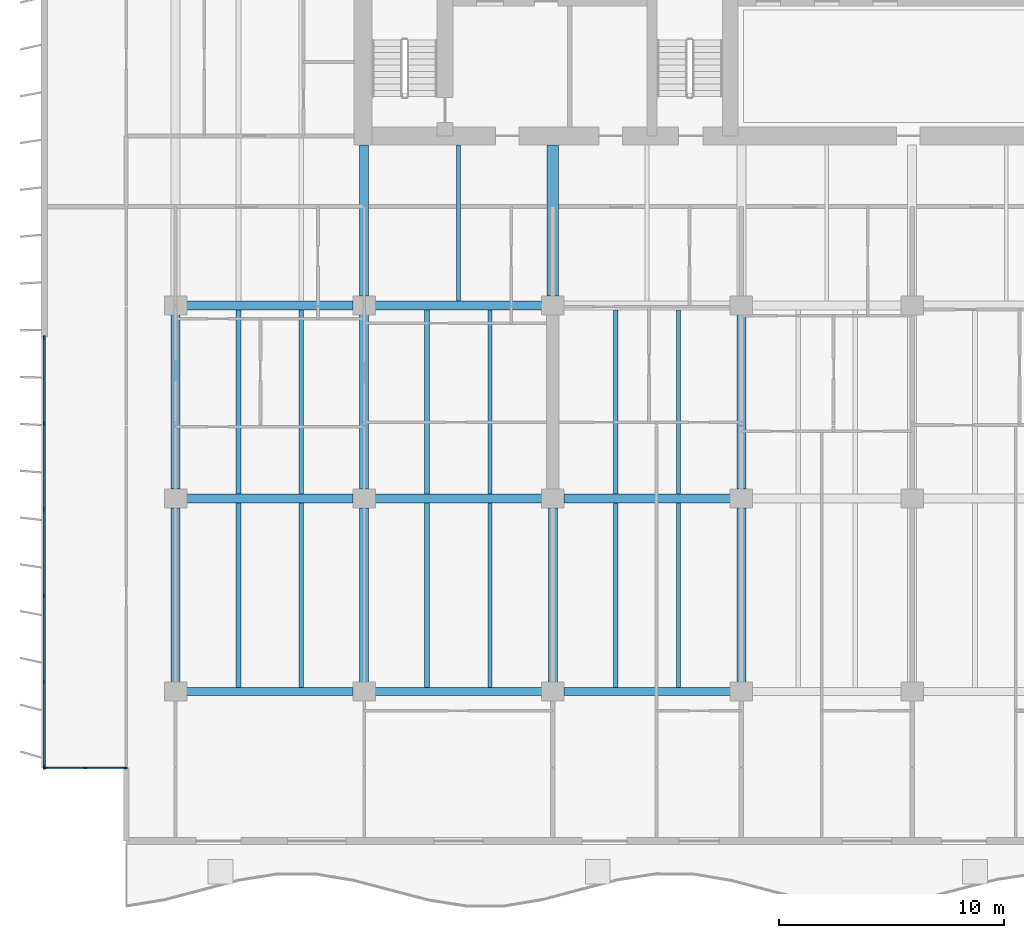
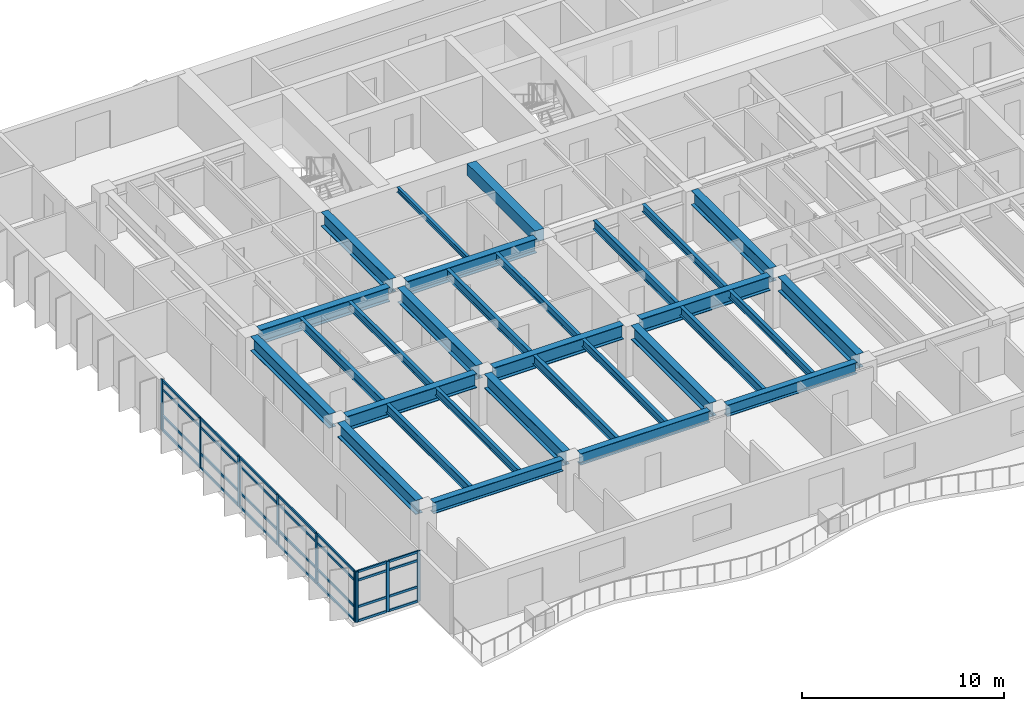
# One storey, part 2 of 19: 37 members, 30 beams, 2 elements without a shape of their own.
"""IFC4 building model written with IfcOpenShell, lengths in metres."""

import ifcopenshell
import ifcopenshell.guid

model = None  # the IFC model being written
_history = None  # IfcOwnerHistory: only IFC2X3 demands one
_inside = {}  # id of a spatial element -> (the spatial element, [elements in it])
_under = {}  # id of a project, library or spatial element -> (it, [spatial elements below it])
_declared = {}  # id of a project -> (the project, [libraries it declares])
_typed = {}  # id of a type object -> (the type object, [elements of that type])
_made_of = {}  # id of a material, layer set ... -> (it, [elements and type objects made of it])


def new_model(schema):
    """Start an empty IFC model of exactly this schema.

    Asked for "IFC4X3", IfcOpenShell would pick the latest addendum, in which some entities
    have other attributes; the version numbers below select the first issue.
    IFC2X3 requires an IfcOwnerHistory on every rooted entity: one is made here for all.
    """
    global model, _history
    if schema == "IFC4X3":
        model = ifcopenshell.file(schema_version=(4, 3, 0, 0))
    else:
        model = ifcopenshell.file(schema=schema)
    _inside.clear()
    _under.clear()
    _declared.clear()
    _typed.clear()
    _made_of.clear()
    _history = None
    if model.schema == "IFC2X3":
        org = make("IfcOrganization", Name="unknown")
        user = make(
            "IfcPersonAndOrganization",
            ThePerson=make("IfcPerson", FamilyName="unknown"),
            TheOrganization=org,
        )
        app = make(
            "IfcApplication",
            ApplicationDeveloper=org,
            Version="unknown",
            ApplicationFullName="unknown",
            ApplicationIdentifier="unknown",
        )
        _history = make(
            "IfcOwnerHistory",
            OwningUser=user,
            OwningApplication=app,
            ChangeAction="ADDED",
            CreationDate=0,
        )
    return model


def make(cls, **values):
    """One entity of the class cls with the attributes given. An attribute that is None is left unset."""
    return model.create_entity(
        cls, **{name: value for name, value in values.items() if value is not None}
    )


def rooted(cls, **values):
    """An entity with a GlobalId (a new one), such as an element, a storey or a relation."""
    return make(cls, GlobalId=ifcopenshell.guid.new(), OwnerHistory=_history, **values)


def si_unit(unit_type, name, prefix=None):
    """IfcSIUnit, for example si_unit("LENGTHUNIT", "METRE", prefix="MILLI")."""
    return make("IfcSIUnit", UnitType=unit_type, Prefix=prefix, Name=name)


def assignment(units):
    """IfcUnitAssignment: the units of a project."""
    return None if units is None else make("IfcUnitAssignment", Units=units)


def point(xyz):
    """IfcCartesianPoint."""
    return None if xyz is None else make("IfcCartesianPoint", Coordinates=xyz)


def direction(xyz):
    """IfcDirection."""
    return None if xyz is None else make("IfcDirection", DirectionRatios=xyz)


def frame(location, z_axis=None, x_axis=None):
    """IfcAxis2Placement3D, a coordinate frame: its origin and axes. An axis left out is left unset."""
    return make(
        "IfcAxis2Placement3D",
        Location=point(location),
        Axis=direction(z_axis),
        RefDirection=direction(x_axis),
    )


def frame_2d(location, x_axis=None):
    """IfcAxis2Placement2D, a coordinate frame in the plane: its origin and x axis."""
    return make(
        "IfcAxis2Placement2D", Location=point(location), RefDirection=direction(x_axis)
    )


def origin():
    """The frame at (0, 0, 0) with its axes left unset."""
    return frame((0.0, 0.0, 0.0))


def origin_2d():
    """The frame at (0, 0) in the plane with its x axis left unset."""
    return frame_2d((0.0, 0.0))


def place(relative_to, where):
    """IfcLocalPlacement: puts the frame where relative to a parent placement (None: the world)."""
    return make(
        "IfcLocalPlacement", PlacementRelTo=relative_to, RelativePlacement=where
    )


def context(
    kind, dimensions, precision=None, world=None, true_north=None, identifier=None
):
    """IfcGeometricRepresentationContext, for example the 3D "Model" context."""
    return make(
        "IfcGeometricRepresentationContext",
        ContextIdentifier=identifier,
        ContextType=kind,
        CoordinateSpaceDimension=dimensions,
        Precision=precision,
        WorldCoordinateSystem=world,
        TrueNorth=true_north,
    )


def subcontext(parent, identifier, kind, view, scale=None):
    """IfcGeometricRepresentationSubContext, for example "Body" below "Model"."""
    return make(
        "IfcGeometricRepresentationSubContext",
        ContextIdentifier=identifier,
        ContextType=kind,
        ParentContext=parent,
        TargetScale=scale,
        TargetView=view,
    )


def project(units=None, contexts=None):
    """IfcProject with its units and contexts."""
    return rooted(
        "IfcProject",
        Name="project",
        RepresentationContexts=contexts,
        UnitsInContext=assignment(units),
    )


def spatial(cls, under=None, at=None, **own):
    """A site, building, storey or space (cls), placed at a placement, below another one or the project."""
    s = rooted(cls, ObjectPlacement=at, **own)
    if under is not None:
        _under.setdefault(under.id(), (under, []))[1].append(s)
    return s


def profile(cls, at=None, kind="AREA", **sizes):
    """A parametric profile (cls). Its sizes go by their IFC names, for example OverallWidth=200.0."""
    return make(cls, ProfileType=kind, Position=at, **sizes)


def rectangle(**sizes):
    """IfcRectangleProfileDef."""
    return profile("IfcRectangleProfileDef", **sizes)


def i_section(**sizes):
    """IfcIShapeProfileDef."""
    return profile("IfcIShapeProfileDef", **sizes)


def extrude(swept, where, along, depth):
    """IfcExtrudedAreaSolid: the profile swept, set in the frame where, extruded along a direction by depth."""
    return make(
        "IfcExtrudedAreaSolid",
        SweptArea=swept,
        Position=where,
        ExtrudedDirection=direction(along),
        Depth=depth,
    )


def shape(context_of_items, identifier, shape_type, items):
    """IfcShapeRepresentation: the items that make up one representation, for example the "Body"."""
    return make(
        "IfcShapeRepresentation",
        ContextOfItems=context_of_items,
        RepresentationIdentifier=identifier,
        RepresentationType=shape_type,
        Items=items,
    )


def material(Name=None, Category=None):
    """IfcMaterial."""
    return make("IfcMaterial", Name=Name, Category=Category)


def layer(
    of_material, thickness, ventilated=None, Name=None, Category=None, Priority=None
):
    """IfcMaterialLayer: one layer of a wall or slab, of a material (None: an air gap)."""
    return make(
        "IfcMaterialLayer",
        Material=of_material,
        LayerThickness=thickness,
        IsVentilated=ventilated,
        Name=Name,
        Category=Category,
        Priority=Priority,
    )


def layer_set(layers, Name=None):
    """IfcMaterialLayerSet."""
    return make("IfcMaterialLayerSet", MaterialLayers=layers, LayerSetName=Name)


def material_profile(
    of_material, cross_section, Name=None, Category=None, Priority=None
):
    """IfcMaterialProfile: a cross section and its material."""
    return make(
        "IfcMaterialProfile",
        Name=Name,
        Material=of_material,
        Profile=cross_section,
        Priority=Priority,
        Category=Category,
    )


def profile_set(profiles, Name=None, composite=None):
    """IfcMaterialProfileSet."""
    return make(
        "IfcMaterialProfileSet",
        Name=Name,
        MaterialProfiles=profiles,
        CompositeProfile=composite,
    )


def made_of(thing, what):
    """Note that an element or type object is made of a material, layer set ...; save() writes the relation."""
    if what is not None:
        _made_of.setdefault(what.id(), (what, []))[1].append(thing)
    return thing


def type_object(cls, material=None, **own):
    """A type object (cls), such as IfcWallType, which elements share."""
    return made_of(rooted(cls, **own), material)


def element(
    cls,
    number,
    at=None,
    inside=None,
    cuts=None,
    type_object=None,
    material=None,
    context=None,
    identifier="Body",
    shape_type=None,
    held_by="IfcProductDefinitionShape",
    body=None,
    shapes=None,
    **own,
):
    """One element of the class cls, such as IfcWall. Its Tag is "e" and its number.

    at: its placement. inside: the storey or other place that contains it. cuts: it is an
    opening in that element (IfcRelVoidsElement). A single representation is given by context,
    identifier, shape_type and body (its items); several are given by shapes. held_by: the class
    of the entity that holds the representations. save() writes the other relations.
    """
    e = rooted(cls, Tag="e%d" % number, ObjectPlacement=at, **own)
    if body is not None:
        shapes = [shape(context, identifier, shape_type, body)]
    if shapes is not None:
        e.Representation = make(held_by, Representations=shapes)
    if inside is not None:
        _inside.setdefault(inside.id(), (inside, []))[1].append(e)
    if cuts is not None:
        rooted(
            "IfcRelVoidsElement", RelatingBuildingElement=cuts, RelatedOpeningElement=e
        )
    if type_object is not None:
        _typed.setdefault(type_object.id(), (type_object, []))[1].append(e)
    return made_of(e, material)


def aggregate(whole, parts):
    """IfcRelAggregates: a whole, such as a stair, and the parts it consists of."""
    return rooted("IfcRelAggregates", RelatingObject=whole, RelatedObjects=parts)


def save(model, path):
    """Write the relations noted so far, then the file.

    IfcRelAggregates (storeys below a building ...), IfcRelContainedInSpatialStructure (elements
    in a storey), IfcRelDefinesByType, IfcRelAssociatesMaterial and IfcRelDeclares: one each for
    every whole, place, type object, material and project.
    """
    for whole, parts in _under.values():
        aggregate(whole, parts)
    for where, things in _inside.values():
        rooted(
            "IfcRelContainedInSpatialStructure",
            RelatedElements=things,
            RelatingStructure=where,
        )
    for kind, things in _typed.values():
        rooted("IfcRelDefinesByType", RelatedObjects=things, RelatingType=kind)
    for what, things in _made_of.values():
        rooted("IfcRelAssociatesMaterial", RelatedObjects=things, RelatingMaterial=what)
    for by, libraries in _declared.values():
        rooted("IfcRelDeclares", RelatingContext=by, RelatedDefinitions=libraries)
    model.write(path)


model = new_model("IFC4")

# Units and contexts
model_context = context("Model", 3, precision=1e-05, world=origin(), true_north=direction((0.0, 1.0)))
body_context = subcontext(model_context, "Body", "Model", "MODEL_VIEW")
ifc_project = project(units=[si_unit("LENGTHUNIT", "METRE"), si_unit("AREAUNIT", "SQUARE_METRE"), si_unit("VOLUMEUNIT", "CUBIC_METRE"), si_unit("PLANEANGLEUNIT", "RADIAN"), si_unit("MASSUNIT", "GRAM", prefix="KILO")], contexts=[model_context])

# Site, building, storey
site_placement = place(None, origin())
site = spatial("IfcSite", under=ifc_project, at=site_placement, CompositionType="ELEMENT")
building_placement = place(site_placement, origin())
building = spatial("IfcBuilding", under=site, at=building_placement, Name="Caelmar Bay Residences", CompositionType="ELEMENT")
storey_placement = place(building_placement, frame((0.0, 0.0, 91.199951171875)))
storey = spatial("IfcBuildingStorey", under=building, at=storey_placement, Name="L24", CompositionType="ELEMENT", Elevation=91.199951171875)

# Beams
ifc_material_1 = material(Name="Steel ASTM A992 Grade 50", Category="steel")
ifc_material_profile_1 = material_profile(ifc_material_1, i_section(OverallWidth=0.40087890625, OverallDepth=0.861083984375, WebThickness=0.019775390625, FlangeThickness=0.032470703125, FilletRadius=0.017822265625, at=origin_2d()), Name="W33X221")
ifc_profile_set_1 = profile_set([ifc_material_profile_1], Name="Steel ASTM A992 Grade 50")
beam_type_1 = type_object("IfcBeamType", Name="BM-GRD-W33X221", PredefinedType="BEAM", material=ifc_profile_set_1)
beam_1_placement = place(storey_placement, frame((10.389892578125, 20.800048828125, 2.61962890625), z_axis=(1.0, 0.0, 0.0), x_axis=(0.0, 1.0, 0.0)))
element("IfcBeam", 1, at=beam_1_placement, inside=storey, type_object=beam_type_1, Name="L24 East-West Girder Y=20.80 (9.9-18.3)", PredefinedType="BEAM", context=body_context, shape_type="SweptSolid", body=[
    extrude(i_section(OverallWidth=0.40087890625, OverallDepth=0.861083984375, WebThickness=0.019775390625, FlangeThickness=0.032470703125, FilletRadius=0.017822265625, at=origin_2d()), origin(), (0.0, 0.0, 1.0), 7.420166015625),
])
beam_2_placement = place(storey_placement, frame((18.7900390625, 20.800048828125, 2.61962890625), z_axis=(1.0, 0.0, 0.0), x_axis=(0.0, 1.0, 0.0)))
element("IfcBeam", 2, at=beam_2_placement, inside=storey, type_object=beam_type_1, Name="L24 East-West Girder Y=20.80 (18.3-26.7)", PredefinedType="BEAM", context=body_context, shape_type="SweptSolid", body=[
    extrude(i_section(OverallWidth=0.40087890625, OverallDepth=0.861083984375, WebThickness=0.019775390625, FlangeThickness=0.032470703125, FilletRadius=0.017822265625, at=origin_2d()), origin(), (0.0, 0.0, 1.0), 7.419921875),
])
for number, where, z_axis, x_axis, name in (
    (3, (27.18994140625, 20.800048828125, 2.61962890625), (1.0, 0.0, 0.0), (0.0, 1.0, 0.0), "L24 East-West Girder Y=20.80 (26.7-35.1)"),
    (4, (10.389892578125, 29.39990234375, 2.61962890625), (1.0, 0.0, 0.0), (0.0, 1.0, 0.0), "L24 East-West Girder Y=29.40 (9.9-18.3)"),
):
    element("IfcBeam", number, at=place(storey_placement, frame(where, z_axis=z_axis, x_axis=x_axis)), inside=storey, type_object=beam_type_1, Name=name, PredefinedType="BEAM", context=body_context, shape_type="SweptSolid", body=[
        extrude(i_section(OverallWidth=0.40087890625, OverallDepth=0.861083984375, WebThickness=0.019775390625, FlangeThickness=0.032470703125, FilletRadius=0.017822265625, at=origin_2d()), origin(), (0.0, 0.0, 1.0), 7.420166015625),
    ])
beam_3_placement = place(storey_placement, frame((18.7900390625, 29.39990234375, 2.61962890625), z_axis=(1.0, 0.0, 0.0), x_axis=(0.0, 1.0, 0.0)))
element("IfcBeam", 5, at=beam_3_placement, inside=storey, type_object=beam_type_1, Name="L24 East-West Girder Y=29.40 (18.3-26.7)", PredefinedType="BEAM", context=body_context, shape_type="SweptSolid", body=[
    extrude(i_section(OverallWidth=0.40087890625, OverallDepth=0.861083984375, WebThickness=0.019775390625, FlangeThickness=0.032470703125, FilletRadius=0.017822265625, at=origin_2d()), origin(), (0.0, 0.0, 1.0), 7.419921875),
])
for number, where, z_axis, x_axis, name in (
    (6, (9.89990234375, 12.614990234375, 2.61962890625), (0.0, 1.0, 0.0), (-1.0, 0.0, 0.0), "L24 North-South Girder X=9.90 (12.2-20.8)"),
    (7, (9.89990234375, 21.215087890625, 2.61962890625), (0.0, 1.0, 0.0), (-1.0, 0.0, 0.0), "L24 North-South Girder X=9.90 (20.8-29.4)"),
):
    element("IfcBeam", number, at=place(storey_placement, frame(where, z_axis=z_axis, x_axis=x_axis)), inside=storey, type_object=beam_type_1, Name=name, PredefinedType="BEAM", context=body_context, shape_type="SweptSolid", body=[
        extrude(i_section(OverallWidth=0.40087890625, OverallDepth=0.861083984375, WebThickness=0.019775390625, FlangeThickness=0.032470703125, FilletRadius=0.017822265625, at=origin_2d()), origin(), (0.0, 0.0, 1.0), 7.77001953125),
    ])
beam_4_placement = place(storey_placement, frame((18.300048828125, 29.81494140625, 2.61962890625), z_axis=(0.0, 1.0, 0.0), x_axis=(-1.0, 0.0, 0.0)))
element("IfcBeam", 8, at=beam_4_placement, inside=storey, type_object=beam_type_1, Name="L24 Core Tie Girder X=18.30", PredefinedType="BEAM", context=body_context, shape_type="SweptSolid", body=[
    extrude(i_section(OverallWidth=0.40087890625, OverallDepth=0.861083984375, WebThickness=0.019775390625, FlangeThickness=0.032470703125, FilletRadius=0.017822265625, at=origin_2d()), origin(), (0.0, 0.0, 1.0), 6.735107421875),
])
for number, where, z_axis, x_axis, name in (
    (9, (18.300048828125, 12.614990234375, 2.61962890625), (0.0, 1.0, 0.0), (-1.0, 0.0, 0.0), "L24 North-South Girder X=18.30 (12.2-20.8)"),
    (10, (18.300048828125, 21.215087890625, 2.61962890625), (0.0, 1.0, 0.0), (-1.0, 0.0, 0.0), "L24 North-South Girder X=18.30 (20.8-29.4)"),
    (11, (26.699951171875, 12.614990234375, 2.61962890625), (0.0, 1.0, 0.0), (-1.0, 0.0, 0.0), "L24 North-South Girder X=26.70 (12.2-20.8)"),
    (12, (35.10009765625, 12.614990234375, 2.61962890625), (0.0, 1.0, 0.0), (-1.0, 0.0, 0.0), "L24 North-South Girder X=35.10 (12.2-20.8)"),
    (13, (35.10009765625, 21.215087890625, 2.61962890625), (0.0, 1.0, 0.0), (-1.0, 0.0, 0.0), "L24 North-South Girder X=35.10 (20.8-29.4)"),
):
    element("IfcBeam", number, at=place(storey_placement, frame(where, z_axis=z_axis, x_axis=x_axis)), inside=storey, type_object=beam_type_1, Name=name, PredefinedType="BEAM", context=body_context, shape_type="SweptSolid", body=[
        extrude(i_section(OverallWidth=0.40087890625, OverallDepth=0.861083984375, WebThickness=0.019775390625, FlangeThickness=0.032470703125, FilletRadius=0.017822265625, at=origin_2d()), origin(), (0.0, 0.0, 1.0), 7.77001953125),
    ])
ifc_material_profile_2 = material_profile(ifc_material_1, i_section(OverallWidth=0.1650390625, OverallDepth=0.31005859375, WebThickness=0.005859375, FlangeThickness=0.009765625, FilletRadius=0.007568359375, at=origin_2d()), Name="W12X26")
ifc_profile_set_2 = profile_set([ifc_material_profile_2], Name="Steel ASTM A992 Grade 50")
beam_type_2 = type_object("IfcBeamType", Name="BM-JST-W12X26", PredefinedType="JOIST", material=ifc_profile_set_2)
beam_5_placement = place(storey_placement, frame((22.5, 29.6005859375, 2.89501953125), z_axis=(0.0, 1.0, 0.0), x_axis=(-1.0, 0.0, 0.0)))
element("IfcBeam", 14, at=beam_5_placement, inside=storey, type_object=beam_type_2, Name="L24 Core-Band Composite Joist 29", PredefinedType="JOIST", context=body_context, shape_type="SweptSolid", body=[
    extrude(i_section(OverallWidth=0.1650390625, OverallDepth=0.31005859375, WebThickness=0.005859375, FlangeThickness=0.009765625, FilletRadius=0.007568359375, at=origin_2d()), origin(), (0.0, 0.0, 1.0), 6.949462890625),
])
ifc_material_profile_3 = material_profile(ifc_material_1, i_section(OverallWidth=0.19091796875, OverallDepth=0.45703125, WebThickness=0.009033203125, FlangeThickness=0.014404296875, FilletRadius=0.01025390625, at=origin_2d()), Name="W18X50")
ifc_profile_set_3 = profile_set([ifc_material_profile_3], Name="Steel ASTM A992 Grade 50")
beam_type_3 = type_object("IfcBeamType", Name="BM-JST-W18X50", PredefinedType="JOIST", material=ifc_profile_set_3)
for number, where, z_axis, x_axis, name in (
    (15, (15.5, 12.3779296875, 2.821533203125), (0.0, 1.0, 0.0), (-1.0, 0.0, 0.0), "L24 Composite Floor Joist 2"),
    (16, (23.89990234375, 12.3779296875, 2.821533203125), (0.0, 1.0, 0.0), (-1.0, 0.0, 0.0), "L24 Composite Floor Joist 4"),
    (17, (32.300048828125, 12.3779296875, 2.821533203125), (0.0, 1.0, 0.0), (-1.0, 0.0, 0.0), "L24 Composite Floor Joist 6"),
):
    element("IfcBeam", number, at=place(storey_placement, frame(where, z_axis=z_axis, x_axis=x_axis)), inside=storey, type_object=beam_type_3, Name=name, PredefinedType="JOIST", context=body_context, shape_type="SweptSolid", body=[
        extrude(i_section(OverallWidth=0.19091796875, OverallDepth=0.45703125, WebThickness=0.009033203125, FlangeThickness=0.014404296875, FilletRadius=0.01025390625, at=origin_2d()), origin(), (0.0, 0.0, 1.0), 8.2216796875),
    ])
for number, where, z_axis, x_axis, name in (
    (18, (15.5, 21.00048828125, 2.821533203125), (0.0, 1.0, 0.0), (-1.0, 0.0, 0.0), "L24 Composite Floor Joist 16"),
    (19, (23.89990234375, 21.00048828125, 2.821533203125), (0.0, 1.0, 0.0), (-1.0, 0.0, 0.0), "L24 Composite Floor Joist 18"),
    (20, (32.300048828125, 21.00048828125, 2.821533203125), (0.0, 1.0, 0.0), (-1.0, 0.0, 0.0), "L24 Composite Floor Joist 20"),
):
    element("IfcBeam", number, at=place(storey_placement, frame(where, z_axis=z_axis, x_axis=x_axis)), inside=storey, type_object=beam_type_3, Name=name, PredefinedType="JOIST", context=body_context, shape_type="SweptSolid", body=[
        extrude(i_section(OverallWidth=0.19091796875, OverallDepth=0.45703125, WebThickness=0.009033203125, FlangeThickness=0.014404296875, FilletRadius=0.01025390625, at=origin_2d()), origin(), (0.0, 0.0, 1.0), 8.198974609375),
    ])
ifc_material_profile_4 = material_profile(ifc_material_1, i_section(OverallWidth=0.2099609375, OverallDepth=0.535888671875, WebThickness=0.010986328125, FlangeThickness=0.017333984375, FilletRadius=0.0126953125, at=origin_2d()), Name="W21X68")
ifc_profile_set_4 = profile_set([ifc_material_profile_4], Name="Steel ASTM A992 Grade 50")
beam_type_4 = type_object("IfcBeamType", Name="BM-JST-W21X68", PredefinedType="JOIST", material=ifc_profile_set_4)
for number, where, z_axis, x_axis, name in (
    (21, (12.699951171875, 12.3779296875, 2.781982421875), (0.0, 1.0, 0.0), (-1.0, 0.0, 0.0), "L24 Composite Floor Joist 1"),
    (22, (21.10009765625, 12.3779296875, 2.781982421875), (0.0, 1.0, 0.0), (-1.0, 0.0, 0.0), "L24 Composite Floor Joist 3"),
    (23, (29.5, 12.3779296875, 2.781982421875), (0.0, 1.0, 0.0), (-1.0, 0.0, 0.0), "L24 Composite Floor Joist 5"),
):
    element("IfcBeam", number, at=place(storey_placement, frame(where, z_axis=z_axis, x_axis=x_axis)), inside=storey, type_object=beam_type_4, Name=name, PredefinedType="JOIST", context=body_context, shape_type="SweptSolid", body=[
        extrude(i_section(OverallWidth=0.2099609375, OverallDepth=0.535888671875, WebThickness=0.010986328125, FlangeThickness=0.017333984375, FilletRadius=0.0126953125, at=origin_2d()), origin(), (0.0, 0.0, 1.0), 8.2216796875),
    ])
for number, where, z_axis, x_axis, name in (
    (24, (12.699951171875, 21.00048828125, 2.781982421875), (0.0, 1.0, 0.0), (-1.0, 0.0, 0.0), "L24 Composite Floor Joist 15"),
    (25, (21.10009765625, 21.00048828125, 2.781982421875), (0.0, 1.0, 0.0), (-1.0, 0.0, 0.0), "L24 Composite Floor Joist 17"),
    (26, (29.5, 21.00048828125, 2.781982421875), (0.0, 1.0, 0.0), (-1.0, 0.0, 0.0), "L24 Composite Floor Joist 19"),
):
    element("IfcBeam", number, at=place(storey_placement, frame(where, z_axis=z_axis, x_axis=x_axis)), inside=storey, type_object=beam_type_4, Name=name, PredefinedType="JOIST", context=body_context, shape_type="SweptSolid", body=[
        extrude(i_section(OverallWidth=0.2099609375, OverallDepth=0.535888671875, WebThickness=0.010986328125, FlangeThickness=0.017333984375, FilletRadius=0.0126953125, at=origin_2d()), origin(), (0.0, 0.0, 1.0), 8.198974609375),
    ])
ifc_material_2 = material(Name="Concrete f'c 55 MPa (8,000 psi)", Category="concrete")
ifc_material_profile_5 = material_profile(ifc_material_2, rectangle(XDim=0.5, YDim=0.699951171875, at=origin_2d()), Name="RC-BM-500X700")
ifc_profile_set_5 = profile_set([ifc_material_profile_5], Name="Concrete f'c 55 MPa (8,000 psi)")
beam_type_5 = type_object("IfcBeamType", Name="BM-RC-500X700", PredefinedType="LINTEL", material=ifc_profile_set_5)
beam_6_placement = place(storey_placement, frame((26.699951171875, 29.81494140625, 2.699951171875), z_axis=(0.0, 1.0, 0.0), x_axis=(-1.0, 0.0, 0.0)))
element("IfcBeam", 27, at=beam_6_placement, inside=storey, type_object=beam_type_5, Name="L24 Shear-Wall Corridor Coupling Lintel W5", PredefinedType="LINTEL", context=body_context, shape_type="SweptSolid", body=[
    extrude(rectangle(XDim=0.5, YDim=0.699951171875, at=origin_2d()), origin(), (0.0, 0.0, 1.0), 6.735107421875),
])
ifc_material_profile_6 = material_profile(ifc_material_1, i_section(OverallWidth=0.35595703125, OverallDepth=0.696044921875, WebThickness=0.015380859375, FlangeThickness=0.02490234375, FilletRadius=0.01513671875, at=origin_2d()), Name="W27X146")
ifc_profile_set_6 = profile_set([ifc_material_profile_6], Name="Steel ASTM A992 Grade 50")
beam_type_6 = type_object("IfcBeamType", Name="BM-SPN-W27X146", PredefinedType="SPANDREL", material=ifc_profile_set_6)
beam_7_placement = place(storey_placement, frame((10.389892578125, 12.199951171875, 2.7021484375), z_axis=(1.0, 0.0, 0.0), x_axis=(0.0, 1.0, 0.0)))
element("IfcBeam", 28, at=beam_7_placement, inside=storey, type_object=beam_type_6, Name="L24 East-West Girder Y=12.20 (9.9-18.3)", PredefinedType="SPANDREL", context=body_context, shape_type="SweptSolid", body=[
    extrude(i_section(OverallWidth=0.35595703125, OverallDepth=0.696044921875, WebThickness=0.015380859375, FlangeThickness=0.02490234375, FilletRadius=0.01513671875, at=origin_2d()), origin(), (0.0, 0.0, 1.0), 7.420166015625),
])
beam_8_placement = place(storey_placement, frame((18.7900390625, 12.199951171875, 2.7021484375), z_axis=(1.0, 0.0, 0.0), x_axis=(0.0, 1.0, 0.0)))
element("IfcBeam", 29, at=beam_8_placement, inside=storey, type_object=beam_type_6, Name="L24 East-West Girder Y=12.20 (18.3-26.7)", PredefinedType="SPANDREL", context=body_context, shape_type="SweptSolid", body=[
    extrude(i_section(OverallWidth=0.35595703125, OverallDepth=0.696044921875, WebThickness=0.015380859375, FlangeThickness=0.02490234375, FilletRadius=0.01513671875, at=origin_2d()), origin(), (0.0, 0.0, 1.0), 7.419921875),
])
beam_9_placement = place(storey_placement, frame((27.18994140625, 12.199951171875, 2.7021484375), z_axis=(1.0, 0.0, 0.0), x_axis=(0.0, 1.0, 0.0)))
element("IfcBeam", 30, at=beam_9_placement, inside=storey, type_object=beam_type_6, Name="L24 East-West Girder Y=12.20 (26.7-35.1)", PredefinedType="SPANDREL", context=body_context, shape_type="SweptSolid", body=[
    extrude(i_section(OverallWidth=0.35595703125, OverallDepth=0.696044921875, WebThickness=0.015380859375, FlangeThickness=0.02490234375, FilletRadius=0.01513671875, at=origin_2d()), origin(), (0.0, 0.0, 1.0), 7.420166015625),
])

# Curtain wall, members
ifc_material_3 = material(Name="Anodised bronze aluminium 6063-T6 and laminated glass", Category="aluminium")
ifc_layer_1 = layer(ifc_material_3, 0.179931640625)
ifc_layer_set_1 = layer_set([ifc_layer_1], Name="Anodised bronze aluminium 6063-T6 and laminated glass")
curtain_wall_type_1 = type_object("IfcCurtainWallType", Name="CW6-NTC", PredefinedType="NOTDEFINED", material=ifc_layer_set_1)
curtain_wall_1_placement = place(storey_placement, origin())
curtain_wall_1 = element("IfcCurtainWall", 31, at=curtain_wall_1_placement, inside=storey, type_object=curtain_wall_type_1, Name="CW6 curtain wall L24", PredefinedType="NOTDEFINED")
ifc_material_4 = material(Name="Anodised bronze aluminium 6063-T6", Category="aluminium")
ifc_material_profile_7 = material_profile(ifc_material_4, rectangle(XDim=0.080078125, YDim=0.179931640625, at=origin_2d()), Name="CWM-80X180")
ifc_profile_set_7 = profile_set([ifc_material_profile_7], Name="Anodised bronze aluminium 6063-T6")
member_type_1 = type_object("IfcMemberType", Name="CWM-180", PredefinedType="MULLION", material=ifc_profile_set_7)
member_1_placement = place(storey_placement, frame((4.090087890625, 8.800048828125, 0.0), z_axis=(0.0, 0.0, 1.0), x_axis=(0.0, 1.0, 0.0)))
member_1 = element("IfcMember", 32, at=member_1_placement, type_object=member_type_1, Name="CW6 mullion 1", PredefinedType="MULLION", context=body_context, shape_type="SweptSolid", body=[
    extrude(rectangle(XDim=0.080078125, YDim=0.179931640625, at=origin_2d()), origin(), (0.0, 0.0, 1.0), 3.050048828125),
])
member_2_placement = place(storey_placement, frame((5.875, 8.800048828125, 0.0), z_axis=(0.0, 0.0, 1.0), x_axis=(0.0, 1.0, 0.0)))
member_2 = element("IfcMember", 33, at=member_2_placement, type_object=member_type_1, Name="CW6 mullion 2", PredefinedType="MULLION", context=body_context, shape_type="SweptSolid", body=[
    extrude(rectangle(XDim=0.080078125, YDim=0.179931640625, at=origin_2d()), origin(), (0.0, 0.0, 1.0), 3.050048828125),
])
member_3_placement = place(storey_placement, frame((7.659912109375, 8.800048828125, 0.0), z_axis=(0.0, 0.0, 1.0), x_axis=(0.0, 1.0, 0.0)))
member_3 = element("IfcMember", 34, at=member_3_placement, type_object=member_type_1, Name="CW6 mullion 3", PredefinedType="MULLION", context=body_context, shape_type="SweptSolid", body=[
    extrude(rectangle(XDim=0.080078125, YDim=0.179931640625, at=origin_2d()), origin(), (0.0, 0.0, 1.0), 3.050048828125),
])

ifc_layer_2 = layer(ifc_material_3, 0.179931640625)
ifc_layer_set_2 = layer_set([ifc_layer_2], Name="Anodised bronze aluminium 6063-T6 and laminated glass")
curtain_wall_type_2 = type_object("IfcCurtainWallType", Name="CW3-Z2", PredefinedType="NOTDEFINED", material=ifc_layer_set_2)
curtain_wall_2_placement = place(storey_placement, origin())
curtain_wall_2 = element("IfcCurtainWall", 35, at=curtain_wall_2_placement, inside=storey, type_object=curtain_wall_type_2, Name="CW3 curtain wall L24", PredefinedType="NOTDEFINED")
member_4_placement = place(storey_placement, frame((4.050048828125, 8.840087890625, 0.0), z_axis=(0.0, 0.0, 1.0), x_axis=(-1.0, 0.0, 0.0)))
member_4 = element("IfcMember", 36, at=member_4_placement, type_object=member_type_1, Name="CW3 mullion 1", PredefinedType="MULLION", context=body_context, shape_type="SweptSolid", body=[
    extrude(rectangle(XDim=0.080078125, YDim=0.179931640625, at=origin_2d()), origin(), (0.0, 0.0, 1.0), 3.050048828125),
])
member_5_placement = place(storey_placement, frame((4.050048828125, 12.639892578125, 0.0), z_axis=(0.0, 0.0, 1.0), x_axis=(-1.0, 0.0, 0.0)))
member_5 = element("IfcMember", 37, at=member_5_placement, type_object=member_type_1, Name="CW3 mullion 2", PredefinedType="MULLION", context=body_context, shape_type="SweptSolid", body=[
    extrude(rectangle(XDim=0.080078125, YDim=0.179931640625, at=origin_2d()), origin(), (0.0, 0.0, 1.0), 3.050048828125),
])
member_6_placement = place(storey_placement, frame((4.050048828125, 16.47998046875, 0.0), z_axis=(0.0, 0.0, 1.0), x_axis=(-1.0, 0.0, 0.0)))
member_6 = element("IfcMember", 38, at=member_6_placement, type_object=member_type_1, Name="CW3 mullion 3", PredefinedType="MULLION", context=body_context, shape_type="SweptSolid", body=[
    extrude(rectangle(XDim=0.080078125, YDim=0.179931640625, at=origin_2d()), origin(), (0.0, 0.0, 1.0), 3.050048828125),
])
member_7_placement = place(storey_placement, frame((4.050048828125, 20.320068359375, 0.0), z_axis=(0.0, 0.0, 1.0), x_axis=(-1.0, 0.0, 0.0)))
member_7 = element("IfcMember", 39, at=member_7_placement, type_object=member_type_1, Name="CW3 mullion 4", PredefinedType="MULLION", context=body_context, shape_type="SweptSolid", body=[
    extrude(rectangle(XDim=0.080078125, YDim=0.179931640625, at=origin_2d()), origin(), (0.0, 0.0, 1.0), 3.050048828125),
])
member_8_placement = place(storey_placement, frame((4.050048828125, 24.159912109375, 0.0), z_axis=(0.0, 0.0, 1.0), x_axis=(-1.0, 0.0, 0.0)))
member_8 = element("IfcMember", 40, at=member_8_placement, type_object=member_type_1, Name="CW3 mullion 5", PredefinedType="MULLION", context=body_context, shape_type="SweptSolid", body=[
    extrude(rectangle(XDim=0.080078125, YDim=0.179931640625, at=origin_2d()), origin(), (0.0, 0.0, 1.0), 3.050048828125),
])
member_9_placement = place(storey_placement, frame((4.050048828125, 27.9599609375, 0.0), z_axis=(0.0, 0.0, 1.0), x_axis=(-1.0, 0.0, 0.0)))
member_9 = element("IfcMember", 41, at=member_9_placement, type_object=member_type_1, Name="CW3 mullion 6", PredefinedType="MULLION", context=body_context, shape_type="SweptSolid", body=[
    extrude(rectangle(XDim=0.080078125, YDim=0.179931640625, at=origin_2d()), origin(), (0.0, 0.0, 1.0), 3.050048828125),
])

# Member
ifc_material_profile_8 = material_profile(ifc_material_4, rectangle(XDim=0.080078125, YDim=0.139892578125, at=origin_2d()), Name="CWT-80X140")
ifc_profile_set_8 = profile_set([ifc_material_profile_8], Name="Anodised bronze aluminium 6063-T6")
member_type_2 = type_object("IfcMemberType", Name="CWT-140", PredefinedType="NOTDEFINED", material=ifc_profile_set_8)
member_10_placement = place(storey_placement, frame((4.1298828125, 8.800048828125, 0.0400390625), z_axis=(1.0, 0.0, 0.0), x_axis=(0.0, 1.0, 0.0)))
member_10 = element("IfcMember", 42, at=member_10_placement, type_object=member_type_2, Name="CW6 transom 1.1", ObjectType="TRANSOM", PredefinedType="USERDEFINED", context=body_context, shape_type="SweptSolid", body=[
    extrude(rectangle(XDim=0.080078125, YDim=0.139892578125, at=origin_2d()), origin(), (0.0, 0.0, 1.0), 1.705078125),
])

member_11_placement = place(storey_placement, frame((4.1298828125, 8.800048828125, 0.900146484375), z_axis=(1.0, 0.0, 0.0), x_axis=(0.0, 1.0, 0.0)))
member_11 = element("IfcMember", 43, at=member_11_placement, type_object=member_type_2, Name="CW6 transom 1.2", ObjectType="TRANSOM", PredefinedType="USERDEFINED", context=body_context, shape_type="SweptSolid", body=[
    extrude(rectangle(XDim=0.080078125, YDim=0.139892578125, at=origin_2d()), origin(), (0.0, 0.0, 1.0), 1.705078125),
])

member_12_placement = place(storey_placement, frame((4.1298828125, 8.800048828125, 2.5), z_axis=(1.0, 0.0, 0.0), x_axis=(0.0, 1.0, 0.0)))
member_12 = element("IfcMember", 44, at=member_12_placement, type_object=member_type_2, Name="CW6 transom 1.3", ObjectType="TRANSOM", PredefinedType="USERDEFINED", context=body_context, shape_type="SweptSolid", body=[
    extrude(rectangle(XDim=0.080078125, YDim=0.139892578125, at=origin_2d()), origin(), (0.0, 0.0, 1.0), 1.705078125),
])

member_13_placement = place(storey_placement, frame((4.1298828125, 8.800048828125, 3.010009765625), z_axis=(1.0, 0.0, 0.0), x_axis=(0.0, 1.0, 0.0)))
member_13 = element("IfcMember", 45, at=member_13_placement, type_object=member_type_2, Name="CW6 transom 1.4", ObjectType="TRANSOM", PredefinedType="USERDEFINED", context=body_context, shape_type="SweptSolid", body=[
    extrude(rectangle(XDim=0.080078125, YDim=0.139892578125, at=origin_2d()), origin(), (0.0, 0.0, 1.0), 1.705078125),
])

member_14_placement = place(storey_placement, frame((5.9150390625, 8.800048828125, 0.0400390625), z_axis=(1.0, 0.0, 0.0), x_axis=(0.0, 1.0, 0.0)))
member_14 = element("IfcMember", 46, at=member_14_placement, type_object=member_type_2, Name="CW6 transom 2.1", ObjectType="TRANSOM", PredefinedType="USERDEFINED", context=body_context, shape_type="SweptSolid", body=[
    extrude(rectangle(XDim=0.080078125, YDim=0.139892578125, at=origin_2d()), origin(), (0.0, 0.0, 1.0), 1.705078125),
])

member_15_placement = place(storey_placement, frame((5.9150390625, 8.800048828125, 0.900146484375), z_axis=(1.0, 0.0, 0.0), x_axis=(0.0, 1.0, 0.0)))
member_15 = element("IfcMember", 47, at=member_15_placement, type_object=member_type_2, Name="CW6 transom 2.2", ObjectType="TRANSOM", PredefinedType="USERDEFINED", context=body_context, shape_type="SweptSolid", body=[
    extrude(rectangle(XDim=0.080078125, YDim=0.139892578125, at=origin_2d()), origin(), (0.0, 0.0, 1.0), 1.705078125),
])

member_16_placement = place(storey_placement, frame((5.9150390625, 8.800048828125, 2.5), z_axis=(1.0, 0.0, 0.0), x_axis=(0.0, 1.0, 0.0)))
member_16 = element("IfcMember", 48, at=member_16_placement, type_object=member_type_2, Name="CW6 transom 2.3", ObjectType="TRANSOM", PredefinedType="USERDEFINED", context=body_context, shape_type="SweptSolid", body=[
    extrude(rectangle(XDim=0.080078125, YDim=0.139892578125, at=origin_2d()), origin(), (0.0, 0.0, 1.0), 1.705078125),
])

member_17_placement = place(storey_placement, frame((5.9150390625, 8.800048828125, 3.010009765625), z_axis=(1.0, 0.0, 0.0), x_axis=(0.0, 1.0, 0.0)))
member_17 = element("IfcMember", 49, at=member_17_placement, type_object=member_type_2, Name="CW6 transom 2.4", ObjectType="TRANSOM", PredefinedType="USERDEFINED", context=body_context, shape_type="SweptSolid", body=[
    extrude(rectangle(XDim=0.080078125, YDim=0.139892578125, at=origin_2d()), origin(), (0.0, 0.0, 1.0), 1.705078125),
])

aggregate(curtain_wall_1, [member_1, member_2, member_3, member_10, member_11, member_12, member_13, member_14, member_15, member_16, member_17])

member_18_placement = place(storey_placement, frame((4.050048828125, 8.8798828125, 0.0400390625), z_axis=(0.0, 1.0, 0.0), x_axis=(-1.0, 0.0, 0.0)))
member_18 = element("IfcMember", 50, at=member_18_placement, type_object=member_type_2, Name="CW3 transom 1.1", ObjectType="TRANSOM", PredefinedType="USERDEFINED", context=body_context, shape_type="SweptSolid", body=[
    extrude(rectangle(XDim=0.080078125, YDim=0.139892578125, at=origin_2d()), origin(), (0.0, 0.0, 1.0), 3.72021484375),
])

member_19_placement = place(storey_placement, frame((4.050048828125, 8.8798828125, 0.900146484375), z_axis=(0.0, 1.0, 0.0), x_axis=(-1.0, 0.0, 0.0)))
member_19 = element("IfcMember", 51, at=member_19_placement, type_object=member_type_2, Name="CW3 transom 1.2", ObjectType="TRANSOM", PredefinedType="USERDEFINED", context=body_context, shape_type="SweptSolid", body=[
    extrude(rectangle(XDim=0.080078125, YDim=0.139892578125, at=origin_2d()), origin(), (0.0, 0.0, 1.0), 3.72021484375),
])

member_20_placement = place(storey_placement, frame((4.050048828125, 8.8798828125, 2.5), z_axis=(0.0, 1.0, 0.0), x_axis=(-1.0, 0.0, 0.0)))
member_20 = element("IfcMember", 52, at=member_20_placement, type_object=member_type_2, Name="CW3 transom 1.3", ObjectType="TRANSOM", PredefinedType="USERDEFINED", context=body_context, shape_type="SweptSolid", body=[
    extrude(rectangle(XDim=0.080078125, YDim=0.139892578125, at=origin_2d()), origin(), (0.0, 0.0, 1.0), 3.72021484375),
])

member_21_placement = place(storey_placement, frame((4.050048828125, 8.8798828125, 3.010009765625), z_axis=(0.0, 1.0, 0.0), x_axis=(-1.0, 0.0, 0.0)))
member_21 = element("IfcMember", 53, at=member_21_placement, type_object=member_type_2, Name="CW3 transom 1.4", ObjectType="TRANSOM", PredefinedType="USERDEFINED", context=body_context, shape_type="SweptSolid", body=[
    extrude(rectangle(XDim=0.080078125, YDim=0.139892578125, at=origin_2d()), origin(), (0.0, 0.0, 1.0), 3.72021484375),
])

member_22_placement = place(storey_placement, frame((4.050048828125, 12.679931640625, 0.0400390625), z_axis=(0.0, 1.0, 0.0), x_axis=(-1.0, 0.0, 0.0)))
member_22 = element("IfcMember", 54, at=member_22_placement, type_object=member_type_2, Name="CW3 transom 2.1", ObjectType="TRANSOM", PredefinedType="USERDEFINED", context=body_context, shape_type="SweptSolid", body=[
    extrude(rectangle(XDim=0.080078125, YDim=0.139892578125, at=origin_2d()), origin(), (0.0, 0.0, 1.0), 3.760009765625),
])

member_23_placement = place(storey_placement, frame((4.050048828125, 12.679931640625, 0.900146484375), z_axis=(0.0, 1.0, 0.0), x_axis=(-1.0, 0.0, 0.0)))
member_23 = element("IfcMember", 55, at=member_23_placement, type_object=member_type_2, Name="CW3 transom 2.2", ObjectType="TRANSOM", PredefinedType="USERDEFINED", context=body_context, shape_type="SweptSolid", body=[
    extrude(rectangle(XDim=0.080078125, YDim=0.139892578125, at=origin_2d()), origin(), (0.0, 0.0, 1.0), 3.760009765625),
])

member_24_placement = place(storey_placement, frame((4.050048828125, 12.679931640625, 2.5), z_axis=(0.0, 1.0, 0.0), x_axis=(-1.0, 0.0, 0.0)))
member_24 = element("IfcMember", 56, at=member_24_placement, type_object=member_type_2, Name="CW3 transom 2.3", ObjectType="TRANSOM", PredefinedType="USERDEFINED", context=body_context, shape_type="SweptSolid", body=[
    extrude(rectangle(XDim=0.080078125, YDim=0.139892578125, at=origin_2d()), origin(), (0.0, 0.0, 1.0), 3.760009765625),
])

member_25_placement = place(storey_placement, frame((4.050048828125, 12.679931640625, 3.010009765625), z_axis=(0.0, 1.0, 0.0), x_axis=(-1.0, 0.0, 0.0)))
member_25 = element("IfcMember", 57, at=member_25_placement, type_object=member_type_2, Name="CW3 transom 2.4", ObjectType="TRANSOM", PredefinedType="USERDEFINED", context=body_context, shape_type="SweptSolid", body=[
    extrude(rectangle(XDim=0.080078125, YDim=0.139892578125, at=origin_2d()), origin(), (0.0, 0.0, 1.0), 3.760009765625),
])

member_26_placement = place(storey_placement, frame((4.050048828125, 16.52001953125, 0.0400390625), z_axis=(0.0, 1.0, 0.0), x_axis=(-1.0, 0.0, 0.0)))
member_26 = element("IfcMember", 58, at=member_26_placement, type_object=member_type_2, Name="CW3 transom 3.1", ObjectType="TRANSOM", PredefinedType="USERDEFINED", context=body_context, shape_type="SweptSolid", body=[
    extrude(rectangle(XDim=0.080078125, YDim=0.139892578125, at=origin_2d()), origin(), (0.0, 0.0, 1.0), 3.760009765625),
])

member_27_placement = place(storey_placement, frame((4.050048828125, 16.52001953125, 0.900146484375), z_axis=(0.0, 1.0, 0.0), x_axis=(-1.0, 0.0, 0.0)))
member_27 = element("IfcMember", 59, at=member_27_placement, type_object=member_type_2, Name="CW3 transom 3.2", ObjectType="TRANSOM", PredefinedType="USERDEFINED", context=body_context, shape_type="SweptSolid", body=[
    extrude(rectangle(XDim=0.080078125, YDim=0.139892578125, at=origin_2d()), origin(), (0.0, 0.0, 1.0), 3.760009765625),
])

member_28_placement = place(storey_placement, frame((4.050048828125, 16.52001953125, 2.5), z_axis=(0.0, 1.0, 0.0), x_axis=(-1.0, 0.0, 0.0)))
member_28 = element("IfcMember", 60, at=member_28_placement, type_object=member_type_2, Name="CW3 transom 3.3", ObjectType="TRANSOM", PredefinedType="USERDEFINED", context=body_context, shape_type="SweptSolid", body=[
    extrude(rectangle(XDim=0.080078125, YDim=0.139892578125, at=origin_2d()), origin(), (0.0, 0.0, 1.0), 3.760009765625),
])

member_29_placement = place(storey_placement, frame((4.050048828125, 16.52001953125, 3.010009765625), z_axis=(0.0, 1.0, 0.0), x_axis=(-1.0, 0.0, 0.0)))
member_29 = element("IfcMember", 61, at=member_29_placement, type_object=member_type_2, Name="CW3 transom 3.4", ObjectType="TRANSOM", PredefinedType="USERDEFINED", context=body_context, shape_type="SweptSolid", body=[
    extrude(rectangle(XDim=0.080078125, YDim=0.139892578125, at=origin_2d()), origin(), (0.0, 0.0, 1.0), 3.760009765625),
])

member_30_placement = place(storey_placement, frame((4.050048828125, 20.360107421875, 0.0400390625), z_axis=(0.0, 1.0, 0.0), x_axis=(-1.0, 0.0, 0.0)))
member_30 = element("IfcMember", 62, at=member_30_placement, type_object=member_type_2, Name="CW3 transom 4.1", ObjectType="TRANSOM", PredefinedType="USERDEFINED", context=body_context, shape_type="SweptSolid", body=[
    extrude(rectangle(XDim=0.080078125, YDim=0.139892578125, at=origin_2d()), origin(), (0.0, 0.0, 1.0), 3.760009765625),
])

member_31_placement = place(storey_placement, frame((4.050048828125, 20.360107421875, 0.900146484375), z_axis=(0.0, 1.0, 0.0), x_axis=(-1.0, 0.0, 0.0)))
member_31 = element("IfcMember", 63, at=member_31_placement, type_object=member_type_2, Name="CW3 transom 4.2", ObjectType="TRANSOM", PredefinedType="USERDEFINED", context=body_context, shape_type="SweptSolid", body=[
    extrude(rectangle(XDim=0.080078125, YDim=0.139892578125, at=origin_2d()), origin(), (0.0, 0.0, 1.0), 3.760009765625),
])

member_32_placement = place(storey_placement, frame((4.050048828125, 20.360107421875, 2.5), z_axis=(0.0, 1.0, 0.0), x_axis=(-1.0, 0.0, 0.0)))
member_32 = element("IfcMember", 64, at=member_32_placement, type_object=member_type_2, Name="CW3 transom 4.3", ObjectType="TRANSOM", PredefinedType="USERDEFINED", context=body_context, shape_type="SweptSolid", body=[
    extrude(rectangle(XDim=0.080078125, YDim=0.139892578125, at=origin_2d()), origin(), (0.0, 0.0, 1.0), 3.760009765625),
])

member_33_placement = place(storey_placement, frame((4.050048828125, 20.360107421875, 3.010009765625), z_axis=(0.0, 1.0, 0.0), x_axis=(-1.0, 0.0, 0.0)))
member_33 = element("IfcMember", 65, at=member_33_placement, type_object=member_type_2, Name="CW3 transom 4.4", ObjectType="TRANSOM", PredefinedType="USERDEFINED", context=body_context, shape_type="SweptSolid", body=[
    extrude(rectangle(XDim=0.080078125, YDim=0.139892578125, at=origin_2d()), origin(), (0.0, 0.0, 1.0), 3.760009765625),
])

member_34_placement = place(storey_placement, frame((4.050048828125, 24.199951171875, 0.0400390625), z_axis=(0.0, 1.0, 0.0), x_axis=(-1.0, 0.0, 0.0)))
member_34 = element("IfcMember", 66, at=member_34_placement, type_object=member_type_2, Name="CW3 transom 5.1", ObjectType="TRANSOM", PredefinedType="USERDEFINED", context=body_context, shape_type="SweptSolid", body=[
    extrude(rectangle(XDim=0.080078125, YDim=0.139892578125, at=origin_2d()), origin(), (0.0, 0.0, 1.0), 3.719970703125),
])

member_35_placement = place(storey_placement, frame((4.050048828125, 24.199951171875, 0.900146484375), z_axis=(0.0, 1.0, 0.0), x_axis=(-1.0, 0.0, 0.0)))
member_35 = element("IfcMember", 67, at=member_35_placement, type_object=member_type_2, Name="CW3 transom 5.2", ObjectType="TRANSOM", PredefinedType="USERDEFINED", context=body_context, shape_type="SweptSolid", body=[
    extrude(rectangle(XDim=0.080078125, YDim=0.139892578125, at=origin_2d()), origin(), (0.0, 0.0, 1.0), 3.719970703125),
])

member_36_placement = place(storey_placement, frame((4.050048828125, 24.199951171875, 2.5), z_axis=(0.0, 1.0, 0.0), x_axis=(-1.0, 0.0, 0.0)))
member_36 = element("IfcMember", 68, at=member_36_placement, type_object=member_type_2, Name="CW3 transom 5.3", ObjectType="TRANSOM", PredefinedType="USERDEFINED", context=body_context, shape_type="SweptSolid", body=[
    extrude(rectangle(XDim=0.080078125, YDim=0.139892578125, at=origin_2d()), origin(), (0.0, 0.0, 1.0), 3.719970703125),
])

member_37_placement = place(storey_placement, frame((4.050048828125, 24.199951171875, 3.010009765625), z_axis=(0.0, 1.0, 0.0), x_axis=(-1.0, 0.0, 0.0)))
member_37 = element("IfcMember", 69, at=member_37_placement, type_object=member_type_2, Name="CW3 transom 5.4", ObjectType="TRANSOM", PredefinedType="USERDEFINED", context=body_context, shape_type="SweptSolid", body=[
    extrude(rectangle(XDim=0.080078125, YDim=0.139892578125, at=origin_2d()), origin(), (0.0, 0.0, 1.0), 3.719970703125),
])

aggregate(curtain_wall_2, [member_4, member_5, member_6, member_7, member_8, member_9, member_18, member_19, member_20, member_21, member_22, member_23, member_24, member_25, member_26, member_27, member_28, member_29, member_30, member_31, member_32, member_33, member_34, member_35, member_36, member_37])

save(model, "model.ifc")
